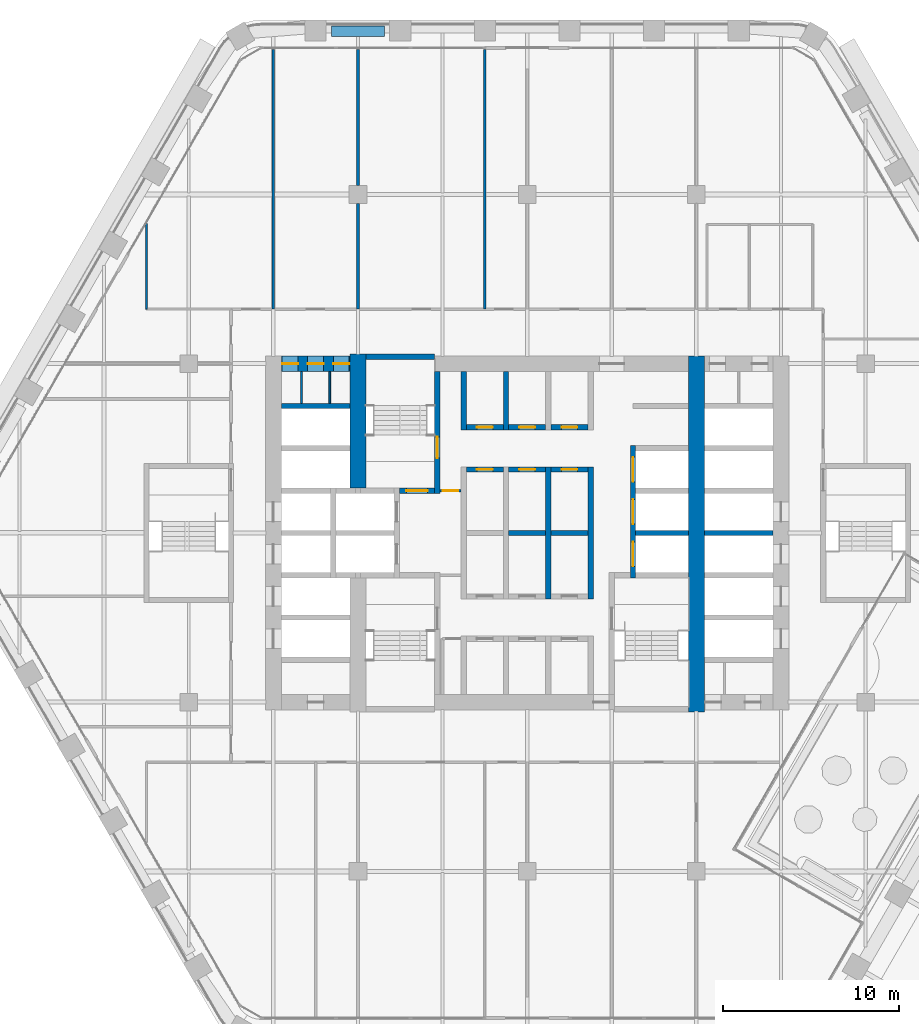
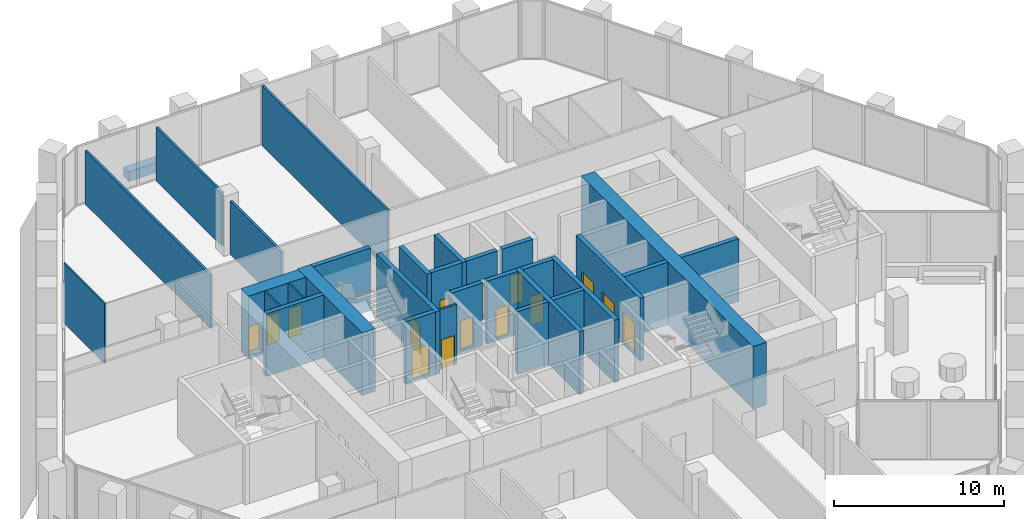
# One storey, part 16 of 25: 31 walls, 15 doors, 15 openings.
"""IFC4 building model written with IfcOpenShell, lengths in metres."""

from ifc_helpers import new_model, si_unit, direction, frame, frame_2d, origin, place, context, subcontext, project, spatial, rectangle, extrude, material, layer, layer_set, type_object, element, fill, save


model = new_model("IFC4")

# Units and contexts
model_context = context("Model", 3, precision=1e-05, world=origin(), true_north=direction((0.0, 1.0)))
body_context = subcontext(model_context, "Body", "Model", "MODEL_VIEW")
ifc_project = project(units=[si_unit("LENGTHUNIT", "METRE"), si_unit("AREAUNIT", "SQUARE_METRE"), si_unit("VOLUMEUNIT", "CUBIC_METRE"), si_unit("PLANEANGLEUNIT", "RADIAN"), si_unit("MASSUNIT", "GRAM", prefix="KILO")], contexts=[model_context])

# Site, building, storey
site_placement = place(None, origin())
site = spatial("IfcSite", under=ifc_project, at=site_placement, CompositionType="ELEMENT")
building_placement = place(site_placement, origin())
building = spatial("IfcBuilding", under=site, at=building_placement, Name="Kolab Exchange Tower", CompositionType="ELEMENT")
storey_placement = place(building_placement, frame((0.0, 0.0, 91.39990234375)))
storey = spatial("IfcBuildingStorey", under=building, at=storey_placement, Name="L17", CompositionType="ELEMENT", Elevation=91.39990234375)

# Wall, openings, doors
ifc_material_1 = material(Name="Concrete C70/85", Category="concrete")
ifc_layer_1 = layer(ifc_material_1, 0.89990234375)
ifc_layer_set_1 = layer_set([ifc_layer_1], Name="Concrete C70/85")
wall_type_1 = type_object("IfcWallType", Name="CORE WALL 900 C70/85", PredefinedType="SHEAR", material=ifc_layer_set_1)
wall_1_placement = place(storey_placement, frame((-13.949951171875, 9.60009765625, -0.199951171875), z_axis=(0.0, 0.0, 1.0), x_axis=(1.0, 0.0, 0.0)))
wall_1 = element("IfcWall", 1, at=wall_1_placement, inside=storey, type_object=wall_type_1, Name="wall/L17/core/051", PredefinedType="SHEAR", context=body_context, shape_type="SweptSolid", body=[
    extrude(rectangle(XDim=3.89990234375, YDim=0.89990234375, at=frame_2d((1.949951171875, 0.0))), origin(), (0.0, 0.0, 1.0), 4.5),
])
opening_1_placement = place(wall_1_placement, frame((0.050048828125, 0.0, 0.199951171875)))
opening_1 = element("IfcOpeningElement", 2, at=opening_1_placement, cuts=wall_1, Name="Opening D6-217", PredefinedType="OPENING", context=body_context, shape_type="SweptSolid", body=[
    extrude(rectangle(XDim=0.89990234375, YDim=2.10009765625, at=frame_2d((0.449951171875, 1.050048828125))), frame((0.0, 0.4599609375, 0.0), z_axis=(0.0, -1.0, 0.0), x_axis=(1.0, 0.0, 0.0)), (0.0, 0.0, 1.0), 0.919921875),
])
opening_2_placement = place(wall_1_placement, frame((1.5, 0.0, 0.199951171875)))
opening_2 = element("IfcOpeningElement", 3, at=opening_2_placement, cuts=wall_1, Name="Opening D6-218", PredefinedType="OPENING", context=body_context, shape_type="SweptSolid", body=[
    extrude(rectangle(XDim=0.89990234375, YDim=2.10009765625, at=frame_2d((0.449951171875, 1.050048828125))), frame((0.0, 0.4599609375, 0.0), z_axis=(0.0, -1.0, 0.0), x_axis=(1.0, 0.0, 0.0)), (0.0, 0.0, 1.0), 0.919921875),
])
opening_3_placement = place(wall_1_placement, frame((2.949951171875, 0.0, 0.199951171875)))
opening_3 = element("IfcOpeningElement", 4, at=opening_3_placement, cuts=wall_1, Name="Opening D6-206", PredefinedType="OPENING", context=body_context, shape_type="SweptSolid", body=[
    extrude(rectangle(XDim=0.89990234375, YDim=2.10009765625, at=frame_2d((0.449951171875, 1.050048828125))), frame((0.0, 0.4599609375, 0.0), z_axis=(0.0, -1.0, 0.0), x_axis=(1.0, 0.0, 0.0)), (0.0, 0.0, 1.0), 0.919921875),
])
ifc_material_2 = material(Name="Steel S235", Category="steel")
door_type_1 = type_object("IfcDoorType", Name="CORE DOOR 900 EI 120", OperationType="SINGLE_SWING_LEFT", PredefinedType="DOOR", material=ifc_material_2)
door_1_placement = place(opening_1_placement, frame((0.89990234375, 0.0, 0.0), z_axis=(0.0, 0.0, 1.0), x_axis=(-1.0, 0.0, 0.0)))
door_1 = element("IfcDoor", 5, at=door_1_placement, inside=storey, type_object=door_type_1, Name="Service room door", OperationType="SINGLE_SWING_RIGHT", OverallHeight=2.10009765625, OverallWidth=0.89990234375, PredefinedType="DOOR", context=body_context, shape_type="SweptSolid", body=[
    extrude(rectangle(XDim=0.89990234375, YDim=2.10009765625, at=frame_2d((0.449951171875, 1.050048828125))), frame((0.0, 0.02490234375, 0.0), z_axis=(0.0, -1.0, 0.0), x_axis=(1.0, 0.0, 0.0)), (0.0, 0.0, 1.0), 0.050048828125),
])
fill(opening_1, door_1)
door_2_placement = place(opening_2_placement, frame((0.89990234375, 0.0, 0.0), z_axis=(0.0, 0.0, 1.0), x_axis=(-1.0, 0.0, 0.0)))
door_2 = element("IfcDoor", 6, at=door_2_placement, inside=storey, type_object=door_type_1, Name="Service room door", OperationType="SINGLE_SWING_LEFT", OverallHeight=2.10009765625, OverallWidth=0.89990234375, PredefinedType="DOOR", context=body_context, shape_type="SweptSolid", body=[
    extrude(rectangle(XDim=0.89990234375, YDim=2.10009765625, at=frame_2d((0.449951171875, 1.050048828125))), frame((0.0, 0.02490234375, 0.0), z_axis=(0.0, -1.0, 0.0), x_axis=(1.0, 0.0, 0.0)), (0.0, 0.0, 1.0), 0.050048828125),
])
fill(opening_2, door_2)
door_3_placement = place(opening_3_placement, frame((0.89990234375, 0.0, 0.0), z_axis=(0.0, 0.0, 1.0), x_axis=(-1.0, 0.0, 0.0)))
door_3 = element("IfcDoor", 7, at=door_3_placement, inside=storey, type_object=door_type_1, Name="Service room door", OperationType="SINGLE_SWING_LEFT", OverallHeight=2.10009765625, OverallWidth=0.89990234375, PredefinedType="DOOR", context=body_context, shape_type="SweptSolid", body=[
    extrude(rectangle(XDim=0.89990234375, YDim=2.10009765625, at=frame_2d((0.449951171875, 1.050048828125))), frame((0.0, 0.02490234375, 0.0), z_axis=(0.0, -1.0, 0.0), x_axis=(1.0, 0.0, 0.0)), (0.0, 0.0, 1.0), 0.050048828125),
])
fill(opening_3, door_3)

# Walls
wall_2_placement = place(storey_placement, frame((-9.60009765625, 2.550048828125, -0.199951171875), z_axis=(0.0, 0.0, 1.0), x_axis=(0.0, 1.0, 0.0)))
element("IfcWall", 8, at=wall_2_placement, inside=storey, type_object=wall_type_1, Name="wall/L17/core/062", PredefinedType="SHEAR", context=body_context, shape_type="SweptSolid", body=[
    extrude(rectangle(XDim=7.599853515625, YDim=0.89990234375, at=frame_2d((3.7998046875, 0.0))), origin(), (0.0, 0.0, 1.0), 4.5),
])
wall_3_placement = place(storey_placement, frame((9.60009765625, -10.14990234375, -0.199951171875), z_axis=(0.0, 0.0, 1.0), x_axis=(0.0, 1.0, 0.0)))
element("IfcWall", 9, at=wall_3_placement, inside=storey, type_object=wall_type_1, Name="wall/L17/core/080", PredefinedType="SHEAR", context=body_context, shape_type="SweptSolid", body=[
    extrude(rectangle(XDim=20.199951171875, YDim=0.89990234375, at=frame_2d((10.10009765625, 0.0))), origin(), (0.0, 0.0, 1.0), 4.5),
])
ifc_material_3 = material(Name="Concrete C50/60", Category="concrete")
ifc_layer_2 = layer(ifc_material_3, 0.300048828125)
ifc_layer_set_2 = layer_set([ifc_layer_2], Name="Concrete C50/60")
wall_type_2 = type_object("IfcWallType", Name="LIFT SHAFT WALL 300 C50/60", PredefinedType="STANDARD", material=ifc_layer_set_2)
wall_4_placement = place(storey_placement, frame((-1.050048828125, 0.0, -0.199951171875), z_axis=(0.0, 0.0, 1.0), x_axis=(1.0, 0.0, 0.0)))
element("IfcWall", 10, at=wall_4_placement, inside=storey, type_object=wall_type_2, Name="wall/L17/core/027", PredefinedType="STANDARD", context=body_context, shape_type="SweptSolid", body=[
    extrude(rectangle(XDim=2.10009765625, YDim=0.300048828125, at=frame_2d((1.050048828125, 0.0))), origin(), (0.0, 0.0, 1.0), 4.5),
])
wall_5_placement = place(storey_placement, frame((1.35009765625, 0.0, -0.199951171875), z_axis=(0.0, 0.0, 1.0), x_axis=(1.0, 0.0, 0.0)))
element("IfcWall", 11, at=wall_5_placement, inside=storey, type_object=wall_type_2, Name="wall/L17/core/028", PredefinedType="STANDARD", context=body_context, shape_type="SweptSolid", body=[
    extrude(rectangle(XDim=2.099853515625, YDim=0.300048828125, at=frame_2d((1.0498046875, 0.0))), origin(), (0.0, 0.0, 1.0), 4.5),
])
wall_6_placement = place(storey_placement, frame((6.14990234375, 0.0, -0.199951171875), z_axis=(0.0, 0.0, 1.0), x_axis=(1.0, 0.0, 0.0)))
element("IfcWall", 12, at=wall_6_placement, inside=storey, type_object=wall_type_2, Name="wall/L17/core/029", PredefinedType="STANDARD", context=body_context, shape_type="SweptSolid", body=[
    extrude(rectangle(XDim=3.0, YDim=0.300048828125, at=frame_2d((1.5, 0.0))), origin(), (0.0, 0.0, 1.0), 4.5),
])
wall_7_placement = place(storey_placement, frame((10.050048828125, 0.0, -0.199951171875), z_axis=(0.0, 0.0, 1.0), x_axis=(1.0, 0.0, 0.0)))
element("IfcWall", 13, at=wall_7_placement, inside=storey, type_object=wall_type_2, Name="wall/L17/core/030", PredefinedType="STANDARD", context=body_context, shape_type="SweptSolid", body=[
    extrude(rectangle(XDim=3.89990234375, YDim=0.300048828125, at=frame_2d((1.949951171875, 0.0))), origin(), (0.0, 0.0, 1.0), 4.5),
])

# Wall, opening, door
wall_8_placement = place(storey_placement, frame((-3.449951171875, 3.60009765625, -0.199951171875), z_axis=(0.0, 0.0, 1.0), x_axis=(1.0, 0.0, 0.0)))
wall_8 = element("IfcWall", 14, at=wall_8_placement, inside=storey, type_object=wall_type_2, Name="wall/L17/core/037", PredefinedType="STANDARD", context=body_context, shape_type="SweptSolid", body=[
    extrude(rectangle(XDim=2.099853515625, YDim=0.300048828125, at=frame_2d((1.0498046875, 0.0))), origin(), (0.0, 0.0, 1.0), 4.5),
])
opening_4_placement = place(wall_8_placement, frame((0.60009765625, 0.0, 0.199951171875)))
opening_4 = element("IfcOpeningElement", 15, at=opening_4_placement, cuts=wall_8, Name="Opening D6-196", PredefinedType="OPENING", context=body_context, shape_type="SweptSolid", body=[
    extrude(rectangle(XDim=0.89990234375, YDim=2.10009765625, at=frame_2d((0.449951171875, 1.050048828125))), frame((0.0, 0.16015625, 0.0), z_axis=(0.0, -1.0, 0.0), x_axis=(1.0, 0.0, 0.0)), (0.0, 0.0, 1.0), 0.320068359375),
])
door_4_placement = place(opening_4_placement, frame((0.89990234375, 0.0, 0.0), z_axis=(0.0, 0.0, 1.0), x_axis=(-1.0, 0.0, 0.0)))
door_4 = element("IfcDoor", 16, at=door_4_placement, inside=storey, type_object=door_type_1, Name="Service room door", OperationType="SINGLE_SWING_LEFT", OverallHeight=2.10009765625, OverallWidth=0.89990234375, PredefinedType="DOOR", context=body_context, shape_type="SweptSolid", body=[
    extrude(rectangle(XDim=0.89990234375, YDim=2.10009765625, at=frame_2d((0.449951171875, 1.050048828125))), frame((0.0, 0.02490234375, 0.0), z_axis=(0.0, -1.0, 0.0), x_axis=(1.0, 0.0, 0.0)), (0.0, 0.0, 1.0), 0.050048828125),
])
fill(opening_4, door_4)

wall_9_placement = place(storey_placement, frame((-1.050048828125, 3.60009765625, -0.199951171875), z_axis=(0.0, 0.0, 1.0), x_axis=(1.0, 0.0, 0.0)))
wall_9 = element("IfcWall", 17, at=wall_9_placement, inside=storey, type_object=wall_type_2, Name="wall/L17/core/038", PredefinedType="STANDARD", context=body_context, shape_type="SweptSolid", body=[
    extrude(rectangle(XDim=2.10009765625, YDim=0.300048828125, at=frame_2d((1.050048828125, 0.0))), origin(), (0.0, 0.0, 1.0), 4.5),
])
opening_5_placement = place(wall_9_placement, frame((0.60009765625, 0.0, 0.199951171875)))
opening_5 = element("IfcOpeningElement", 18, at=opening_5_placement, cuts=wall_9, Name="Opening D6-195", PredefinedType="OPENING", context=body_context, shape_type="SweptSolid", body=[
    extrude(rectangle(XDim=0.89990234375, YDim=2.10009765625, at=frame_2d((0.449951171875, 1.050048828125))), frame((0.0, 0.16015625, 0.0), z_axis=(0.0, -1.0, 0.0), x_axis=(1.0, 0.0, 0.0)), (0.0, 0.0, 1.0), 0.320068359375),
])
door_5_placement = place(opening_5_placement, frame((0.89990234375, 0.0, 0.0), z_axis=(0.0, 0.0, 1.0), x_axis=(-1.0, 0.0, 0.0)))
door_5 = element("IfcDoor", 19, at=door_5_placement, inside=storey, type_object=door_type_1, Name="Service room door", OperationType="SINGLE_SWING_LEFT", OverallHeight=2.10009765625, OverallWidth=0.89990234375, PredefinedType="DOOR", context=body_context, shape_type="SweptSolid", body=[
    extrude(rectangle(XDim=0.89990234375, YDim=2.10009765625, at=frame_2d((0.449951171875, 1.050048828125))), frame((0.0, 0.02490234375, 0.0), z_axis=(0.0, -1.0, 0.0), x_axis=(1.0, 0.0, 0.0)), (0.0, 0.0, 1.0), 0.050048828125),
])
fill(opening_5, door_5)

wall_10_placement = place(storey_placement, frame((1.35009765625, 3.60009765625, -0.199951171875), z_axis=(0.0, 0.0, 1.0), x_axis=(1.0, 0.0, 0.0)))
wall_10 = element("IfcWall", 20, at=wall_10_placement, inside=storey, type_object=wall_type_2, Name="wall/L17/core/039", PredefinedType="STANDARD", context=body_context, shape_type="SweptSolid", body=[
    extrude(rectangle(XDim=2.099853515625, YDim=0.300048828125, at=frame_2d((1.0498046875, 0.0))), origin(), (0.0, 0.0, 1.0), 4.5),
])
opening_6_placement = place(wall_10_placement, frame((0.60009765625, 0.0, 0.199951171875)))
opening_6 = element("IfcOpeningElement", 21, at=opening_6_placement, cuts=wall_10, Name="Opening D6-194", PredefinedType="OPENING", context=body_context, shape_type="SweptSolid", body=[
    extrude(rectangle(XDim=0.89990234375, YDim=2.10009765625, at=frame_2d((0.449951171875, 1.050048828125))), frame((0.0, 0.16015625, 0.0), z_axis=(0.0, -1.0, 0.0), x_axis=(1.0, 0.0, 0.0)), (0.0, 0.0, 1.0), 0.320068359375),
])
door_6_placement = place(opening_6_placement, frame((0.89990234375, 0.0, 0.0), z_axis=(0.0, 0.0, 1.0), x_axis=(-1.0, 0.0, 0.0)))
door_6 = element("IfcDoor", 22, at=door_6_placement, inside=storey, type_object=door_type_1, Name="Service room door", OperationType="SINGLE_SWING_RIGHT", OverallHeight=2.10009765625, OverallWidth=0.89990234375, PredefinedType="DOOR", context=body_context, shape_type="SweptSolid", body=[
    extrude(rectangle(XDim=0.89990234375, YDim=2.10009765625, at=frame_2d((0.449951171875, 1.050048828125))), frame((0.0, 0.02490234375, 0.0), z_axis=(0.0, -1.0, 0.0), x_axis=(1.0, 0.0, 0.0)), (0.0, 0.0, 1.0), 0.050048828125),
])
fill(opening_6, door_6)

wall_11_placement = place(storey_placement, frame((-3.449951171875, 6.0, -0.199951171875), z_axis=(0.0, 0.0, 1.0), x_axis=(1.0, 0.0, 0.0)))
wall_11 = element("IfcWall", 23, at=wall_11_placement, inside=storey, type_object=wall_type_2, Name="wall/L17/core/045", PredefinedType="STANDARD", context=body_context, shape_type="SweptSolid", body=[
    extrude(rectangle(XDim=2.099853515625, YDim=0.300048828125, at=frame_2d((1.0498046875, 0.0))), origin(), (0.0, 0.0, 1.0), 4.5),
])
opening_7_placement = place(wall_11_placement, frame((0.60009765625, 0.0, 0.199951171875)))
opening_7 = element("IfcOpeningElement", 24, at=opening_7_placement, cuts=wall_11, Name="Opening D6-193", PredefinedType="OPENING", context=body_context, shape_type="SweptSolid", body=[
    extrude(rectangle(XDim=0.89990234375, YDim=2.10009765625, at=frame_2d((0.449951171875, 1.050048828125))), frame((0.0, 0.16015625, 0.0), z_axis=(0.0, -1.0, 0.0), x_axis=(1.0, 0.0, 0.0)), (0.0, 0.0, 1.0), 0.320068359375),
])
door_7_placement = place(opening_7_placement, origin())
door_7 = element("IfcDoor", 25, at=door_7_placement, inside=storey, type_object=door_type_1, Name="Service room door", OperationType="SINGLE_SWING_LEFT", OverallHeight=2.10009765625, OverallWidth=0.89990234375, PredefinedType="DOOR", context=body_context, shape_type="SweptSolid", body=[
    extrude(rectangle(XDim=0.89990234375, YDim=2.10009765625, at=frame_2d((0.449951171875, 1.050048828125))), frame((0.0, 0.02490234375, 0.0), z_axis=(0.0, -1.0, 0.0), x_axis=(1.0, 0.0, 0.0)), (0.0, 0.0, 1.0), 0.050048828125),
])
fill(opening_7, door_7)

wall_12_placement = place(storey_placement, frame((-1.050048828125, 6.0, -0.199951171875), z_axis=(0.0, 0.0, 1.0), x_axis=(1.0, 0.0, 0.0)))
wall_12 = element("IfcWall", 26, at=wall_12_placement, inside=storey, type_object=wall_type_2, Name="wall/L17/core/046", PredefinedType="STANDARD", context=body_context, shape_type="SweptSolid", body=[
    extrude(rectangle(XDim=2.10009765625, YDim=0.300048828125, at=frame_2d((1.050048828125, 0.0))), origin(), (0.0, 0.0, 1.0), 4.5),
])
opening_8_placement = place(wall_12_placement, frame((0.60009765625, 0.0, 0.199951171875)))
opening_8 = element("IfcOpeningElement", 27, at=opening_8_placement, cuts=wall_12, Name="Opening D6-214", PredefinedType="OPENING", context=body_context, shape_type="SweptSolid", body=[
    extrude(rectangle(XDim=0.89990234375, YDim=2.10009765625, at=frame_2d((0.449951171875, 1.050048828125))), frame((0.0, 0.16015625, 0.0), z_axis=(0.0, -1.0, 0.0), x_axis=(1.0, 0.0, 0.0)), (0.0, 0.0, 1.0), 0.320068359375),
])
door_8_placement = place(opening_8_placement, origin())
door_8 = element("IfcDoor", 28, at=door_8_placement, inside=storey, type_object=door_type_1, Name="Service room door", OperationType="SINGLE_SWING_RIGHT", OverallHeight=2.10009765625, OverallWidth=0.89990234375, PredefinedType="DOOR", context=body_context, shape_type="SweptSolid", body=[
    extrude(rectangle(XDim=0.89990234375, YDim=2.10009765625, at=frame_2d((0.449951171875, 1.050048828125))), frame((0.0, 0.02490234375, 0.0), z_axis=(0.0, -1.0, 0.0), x_axis=(1.0, 0.0, 0.0)), (0.0, 0.0, 1.0), 0.050048828125),
])
fill(opening_8, door_8)

wall_13_placement = place(storey_placement, frame((1.35009765625, 6.0, -0.199951171875), z_axis=(0.0, 0.0, 1.0), x_axis=(1.0, 0.0, 0.0)))
wall_13 = element("IfcWall", 29, at=wall_13_placement, inside=storey, type_object=wall_type_2, Name="wall/L17/core/047", PredefinedType="STANDARD", context=body_context, shape_type="SweptSolid", body=[
    extrude(rectangle(XDim=2.099853515625, YDim=0.300048828125, at=frame_2d((1.0498046875, 0.0))), origin(), (0.0, 0.0, 1.0), 4.5),
])
opening_9_placement = place(wall_13_placement, frame((0.60009765625, 0.0, 0.199951171875)))
opening_9 = element("IfcOpeningElement", 30, at=opening_9_placement, cuts=wall_13, Name="Opening D6-191", PredefinedType="OPENING", context=body_context, shape_type="SweptSolid", body=[
    extrude(rectangle(XDim=0.89990234375, YDim=2.10009765625, at=frame_2d((0.449951171875, 1.050048828125))), frame((0.0, 0.16015625, 0.0), z_axis=(0.0, -1.0, 0.0), x_axis=(1.0, 0.0, 0.0)), (0.0, 0.0, 1.0), 0.320068359375),
])
door_9_placement = place(opening_9_placement, origin())
door_9 = element("IfcDoor", 31, at=door_9_placement, inside=storey, type_object=door_type_1, Name="Service room door", OperationType="SINGLE_SWING_RIGHT", OverallHeight=2.10009765625, OverallWidth=0.89990234375, PredefinedType="DOOR", context=body_context, shape_type="SweptSolid", body=[
    extrude(rectangle(XDim=0.89990234375, YDim=2.10009765625, at=frame_2d((0.449951171875, 1.050048828125))), frame((0.0, 0.02490234375, 0.0), z_axis=(0.0, -1.0, 0.0), x_axis=(1.0, 0.0, 0.0)), (0.0, 0.0, 1.0), 0.050048828125),
])
fill(opening_9, door_9)

# Walls
wall_14_placement = place(storey_placement, frame((-13.949951171875, 7.199951171875, -0.199951171875), z_axis=(0.0, 0.0, 1.0), x_axis=(1.0, 0.0, 0.0)))
element("IfcWall", 32, at=wall_14_placement, inside=storey, type_object=wall_type_2, Name="wall/L17/core/048", PredefinedType="STANDARD", context=body_context, shape_type="SweptSolid", body=[
    extrude(rectangle(XDim=3.89990234375, YDim=0.300048828125, at=frame_2d((1.949951171875, 0.0))), origin(), (0.0, 0.0, 1.0), 4.5),
])
for number, where, z_axis, x_axis, name in (
    (33, (-3.60009765625, 5.85009765625, -0.199951171875), (0.0, 0.0, 1.0), (0.0, 1.0, 0.0), "wall/L17/core/068"),
    (34, (-1.199951171875, 5.85009765625, -0.199951171875), (0.0, 0.0, 1.0), (0.0, 1.0, 0.0), "wall/L17/core/071"),
):
    element("IfcWall", number, at=place(storey_placement, frame(where, z_axis=z_axis, x_axis=x_axis)), inside=storey, type_object=wall_type_2, Name=name, PredefinedType="STANDARD", context=body_context, shape_type="SweptSolid", body=[
        extrude(rectangle(XDim=3.2998046875, YDim=0.300048828125, at=frame_2d((1.64990234375, 0.0))), origin(), (0.0, 0.0, 1.0), 4.5),
    ])
for number, where, z_axis, x_axis, name in (
    (35, (1.199951171875, -3.75, -0.199951171875), (0.0, 0.0, 1.0), (0.0, 1.0, 0.0), "wall/L17/core/073"),
    (36, (3.60009765625, -3.75, -0.199951171875), (0.0, 0.0, 1.0), (0.0, 1.0, 0.0), "wall/L17/core/076"),
):
    element("IfcWall", number, at=place(storey_placement, frame(where, z_axis=z_axis, x_axis=x_axis)), inside=storey, type_object=wall_type_2, Name=name, PredefinedType="STANDARD", context=body_context, shape_type="SweptSolid", body=[
        extrude(rectangle(XDim=7.5, YDim=0.300048828125, at=frame_2d((3.75, 0.0))), origin(), (0.0, 0.0, 1.0), 4.5),
    ])

# Wall, openings, doors
wall_15_placement = place(storey_placement, frame((6.0, -2.550048828125, -0.199951171875), z_axis=(0.0, 0.0, 1.0), x_axis=(0.0, 1.0, 0.0)))
wall_15 = element("IfcWall", 37, at=wall_15_placement, inside=storey, type_object=wall_type_2, Name="wall/L17/core/079", PredefinedType="STANDARD", context=body_context, shape_type="SweptSolid", body=[
    extrude(rectangle(XDim=7.5, YDim=0.300048828125, at=frame_2d((3.75, 0.0))), origin(), (0.0, 0.0, 1.0), 4.5),
])
opening_10_placement = place(wall_15_placement, frame((0.64990234375, 0.0, 0.199951171875)))
opening_10 = element("IfcOpeningElement", 38, at=opening_10_placement, cuts=wall_15, Name="Opening LD3-025", PredefinedType="OPENING", context=body_context, shape_type="SweptSolid", body=[
    extrude(rectangle(XDim=1.39990234375, YDim=2.10009765625, at=frame_2d((0.699951171875, 1.050048828125))), frame((0.0, 0.16015625, 0.0), z_axis=(0.0, -1.0, 0.0), x_axis=(1.0, 0.0, 0.0)), (0.0, 0.0, 1.0), 0.320068359375),
])
opening_11_placement = place(wall_15_placement, frame((3.050048828125, 0.0, 0.199951171875)))
opening_11 = element("IfcOpeningElement", 39, at=opening_11_placement, cuts=wall_15, Name="Opening LD3-026", PredefinedType="OPENING", context=body_context, shape_type="SweptSolid", body=[
    extrude(rectangle(XDim=1.39990234375, YDim=2.10009765625, at=frame_2d((0.699951171875, 1.050048828125))), frame((0.0, 0.16015625, 0.0), z_axis=(0.0, -1.0, 0.0), x_axis=(1.0, 0.0, 0.0)), (0.0, 0.0, 1.0), 0.320068359375),
])
opening_12_placement = place(wall_15_placement, frame((5.449951171875, 0.0, 0.199951171875)))
opening_12 = element("IfcOpeningElement", 40, at=opening_12_placement, cuts=wall_15, Name="Opening LD3-027", PredefinedType="OPENING", context=body_context, shape_type="SweptSolid", body=[
    extrude(rectangle(XDim=1.39990234375, YDim=2.10009765625, at=frame_2d((0.699951171875, 1.050048828125))), frame((0.0, 0.16015625, 0.0), z_axis=(0.0, -1.0, 0.0), x_axis=(1.0, 0.0, 0.0)), (0.0, 0.0, 1.0), 0.320068359375),
])
ifc_material_4 = material(Name="Stainless steel 316", Category="steel")
door_type_2 = type_object("IfcDoorType", Name="LANDING DOOR 1400 SERVICE", OperationType="DOUBLE_DOOR_SLIDING", PredefinedType="DOOR", material=ifc_material_4)
door_10_placement = place(opening_10_placement, origin())
door_10 = element("IfcDoor", 41, at=door_10_placement, inside=storey, type_object=door_type_2, Name="Landing door SV1", OperationType="DOUBLE_DOOR_SLIDING", OverallHeight=2.10009765625, OverallWidth=1.39990234375, PredefinedType="DOOR", context=body_context, shape_type="SweptSolid", body=[
    extrude(rectangle(XDim=1.39990234375, YDim=2.10009765625, at=frame_2d((0.699951171875, 1.050048828125))), frame((0.0, 0.02490234375, 0.0), z_axis=(0.0, -1.0, 0.0), x_axis=(1.0, 0.0, 0.0)), (0.0, 0.0, 1.0), 0.050048828125),
])
fill(opening_10, door_10)
door_11_placement = place(opening_11_placement, origin())
door_11 = element("IfcDoor", 42, at=door_11_placement, inside=storey, type_object=door_type_2, Name="Landing door SV2", OperationType="DOUBLE_DOOR_SLIDING", OverallHeight=2.10009765625, OverallWidth=1.39990234375, PredefinedType="DOOR", context=body_context, shape_type="SweptSolid", body=[
    extrude(rectangle(XDim=1.39990234375, YDim=2.10009765625, at=frame_2d((0.699951171875, 1.050048828125))), frame((0.0, 0.02490234375, 0.0), z_axis=(0.0, -1.0, 0.0), x_axis=(1.0, 0.0, 0.0)), (0.0, 0.0, 1.0), 0.050048828125),
])
fill(opening_11, door_11)
door_12_placement = place(opening_12_placement, origin())
door_12 = element("IfcDoor", 43, at=door_12_placement, inside=storey, type_object=door_type_2, Name="Landing door SV3", OperationType="DOUBLE_DOOR_SLIDING", OverallHeight=2.10009765625, OverallWidth=1.39990234375, PredefinedType="DOOR", context=body_context, shape_type="SweptSolid", body=[
    extrude(rectangle(XDim=1.39990234375, YDim=2.10009765625, at=frame_2d((0.699951171875, 1.050048828125))), frame((0.0, 0.02490234375, 0.0), z_axis=(0.0, -1.0, 0.0), x_axis=(1.0, 0.0, 0.0)), (0.0, 0.0, 1.0), 0.050048828125),
])
fill(opening_12, door_12)

# Walls
ifc_material_5 = material(Name="Gypsum board", Category="gypsum")
ifc_layer_3 = layer(ifc_material_5, 0.10009765625)
ifc_layer_set_3 = layer_set([ifc_layer_3], Name="Gypsum board")
wall_type_3 = type_object("IfcWallType", Name="PARTITION 100", PredefinedType="PARTITIONING", material=ifc_layer_set_3)
for number, where, z_axis, x_axis, name in (
    (44, (-11.199951171875, 7.35009765625, 0.0), (0.0, 0.0, 1.0), (0.0, 1.0, 0.0), "Partition 023"),
    (45, (-12.800048828125, 7.35009765625, 0.0), (0.0, 0.0, 1.0), (0.0, 1.0, 0.0), "Partition 025"),
):
    element("IfcWall", number, at=place(storey_placement, frame(where, z_axis=z_axis, x_axis=x_axis)), inside=storey, type_object=wall_type_3, Name=name, PredefinedType="PARTITIONING", context=body_context, shape_type="SweptSolid", body=[
        extrude(rectangle(XDim=1.7998046875, YDim=0.10009765625, at=frame_2d((0.89990234375, 0.0))), origin(), (0.0, 0.0, 1.0), 4.300048828125),
    ])
wall_16_placement = place(storey_placement, frame((-21.60009765625, 12.699951171875, 0.0), z_axis=(0.0, 0.0, 1.0), x_axis=(0.0, 1.0, 0.0)))
element("IfcWall", 46, at=wall_16_placement, inside=storey, type_object=wall_type_3, Name="Partition 030", PredefinedType="PARTITIONING", context=body_context, shape_type="SweptSolid", body=[
    extrude(rectangle(XDim=4.8447265625, YDim=0.10009765625, at=frame_2d((2.42236328125, 0.0))), origin(), (0.0, 0.0, 1.0), 4.300048828125),
])
ifc_layer_4 = layer(ifc_material_5, 0.14990234375)
ifc_layer_set_4 = layer_set([ifc_layer_4], Name="Gypsum board")
wall_type_4 = type_object("IfcWallType", Name="PARTITION 150 FIRE-RATED", PredefinedType="PARTITIONING", material=ifc_layer_set_4)
wall_17_placement = place(storey_placement, frame((-2.39990234375, 12.699951171875, 0.0), z_axis=(0.0, 0.0, 1.0), x_axis=(0.0, 1.0, 0.0)))
element("IfcWall", 47, at=wall_17_placement, inside=storey, type_object=wall_type_4, Name="Partition 017", PredefinedType="PARTITIONING", context=body_context, shape_type="SweptSolid", body=[
    extrude(rectangle(XDim=14.738525390625, YDim=0.14990234375, at=frame_2d((7.369140625, 0.0))), origin(), (0.0, 0.0, 1.0), 4.300048828125),
])
wall_18_placement = place(storey_placement, frame((-9.60009765625, 12.699951171875, 0.0), z_axis=(0.0, 0.0, 1.0), x_axis=(0.0, 1.0, 0.0)))
element("IfcWall", 48, at=wall_18_placement, inside=storey, type_object=wall_type_4, Name="Partition 021", PredefinedType="PARTITIONING", context=body_context, shape_type="SweptSolid", body=[
    extrude(rectangle(XDim=6.0, YDim=0.14990234375, at=frame_2d((3.0, 0.0))), origin(), (0.0, 0.0, 1.0), 3.843017578125),
])
wall_19_placement = place(storey_placement, frame((-9.60009765625, 19.699951171875, 0.0), z_axis=(0.0, 0.0, 1.0), x_axis=(0.0, 1.0, 0.0)))
element("IfcWall", 49, at=wall_19_placement, inside=storey, type_object=wall_type_4, Name="Partition 022", PredefinedType="PARTITIONING", context=body_context, shape_type="SweptSolid", body=[
    extrude(rectangle(XDim=7.728515625, YDim=0.14990234375, at=frame_2d((3.8642578125, 0.0))), origin(), (0.0, 0.0, 1.0), 3.843017578125),
])
wall_20_placement = place(storey_placement, frame((-14.39990234375, 12.699951171875, 0.0), z_axis=(0.0, 0.0, 1.0), x_axis=(0.0, 1.0, 0.0)))
element("IfcWall", 50, at=wall_20_placement, inside=storey, type_object=wall_type_4, Name="Partition 026", PredefinedType="PARTITIONING", context=body_context, shape_type="SweptSolid", body=[
    extrude(rectangle(XDim=14.728515625, YDim=0.14990234375, at=frame_2d((7.3642578125, 0.0))), origin(), (0.0, 0.0, 1.0), 3.843017578125),
])

# Wall, opening, door
wall_21_placement = place(storey_placement, frame((-4.949951171875, 2.39990234375, 0.0), z_axis=(0.0, 0.0, 1.0), x_axis=(1.0, 0.0, 0.0)))
wall_21 = element("IfcWall", 51, at=wall_21_placement, inside=storey, type_object=wall_type_4, Name="Fire partition", PredefinedType="PARTITIONING", context=body_context, shape_type="SweptSolid", body=[
    extrude(rectangle(XDim=1.199951171875, YDim=0.14990234375, at=frame_2d((0.60009765625, 0.0))), origin(), (0.0, 0.0, 1.0), 4.300048828125),
])
opening_13_placement = place(wall_21_placement, frame((0.14990234375, 0.0, 0.0)))
opening_13 = element("IfcOpeningElement", 52, at=opening_13_placement, cuts=wall_21, Name="Opening D6-204", PredefinedType="OPENING", context=body_context, shape_type="SweptSolid", body=[
    extrude(rectangle(XDim=0.89990234375, YDim=2.10009765625, at=frame_2d((0.449951171875, 1.050048828125))), frame((0.0, 0.0849609375, 0.0), z_axis=(0.0, -1.0, 0.0), x_axis=(1.0, 0.0, 0.0)), (0.0, 0.0, 1.0), 0.169921875),
])
door_13_placement = place(opening_13_placement, frame((0.89990234375, 0.0, 0.0), z_axis=(0.0, 0.0, 1.0), x_axis=(-1.0, 0.0, 0.0)))
door_13 = element("IfcDoor", 53, at=door_13_placement, inside=storey, type_object=door_type_1, Name="Firefighting lobby door", OperationType="SINGLE_SWING_RIGHT", OverallHeight=2.10009765625, OverallWidth=0.89990234375, PredefinedType="DOOR", context=body_context, shape_type="SweptSolid", body=[
    extrude(rectangle(XDim=0.89990234375, YDim=2.10009765625, at=frame_2d((0.449951171875, 1.050048828125))), frame((0.0, 0.02490234375, 0.0), z_axis=(0.0, -1.0, 0.0), x_axis=(1.0, 0.0, 0.0)), (0.0, 0.0, 1.0), 0.050048828125),
])
fill(opening_13, door_13)

# Wall
ifc_material_6 = material(Name="Granite facing", Category="masonry")
ifc_layer_5 = layer(ifc_material_6, 0.0400390625)
ifc_material_7 = material(Name="Concrete C40/50 precast", Category="concrete")
ifc_layer_6 = layer(ifc_material_7, 0.56005859375)
ifc_layer_set_5 = layer_set([ifc_layer_5, ifc_layer_6], Name="Concrete C40/50 precast")
wall_type_5 = type_object("IfcWallType", Name="PLANTER BOX 600 X 700 SOIL DEPTH 550", PredefinedType="USERDEFINED", material=ifc_layer_set_5)
wall_22_placement = place(storey_placement, frame((-11.10009765625, 28.448486328125, 0.0), z_axis=(0.0, 0.0, 1.0), x_axis=(1.0, 0.0, 0.0)))
element("IfcWall", 54, at=wall_22_placement, inside=storey, type_object=wall_type_5, Name="Planter", ObjectType="PLANTER", PredefinedType="USERDEFINED", context=body_context, shape_type="SweptSolid", body=[
    extrude(rectangle(XDim=3.0, YDim=0.60009765625, at=frame_2d((1.5, 0.0))), origin(), (0.0, 0.0, 1.0), 0.7001953125),
])

# Wall, opening, door
ifc_layer_7 = layer(ifc_material_3, 0.300048828125)
ifc_layer_set_6 = layer_set([ifc_layer_7], Name="Concrete C50/60")
wall_type_6 = type_object("IfcWallType", Name="STAIR ENCLOSURE WALL 300 C50/60", PredefinedType="STANDARD", material=ifc_layer_set_6)
wall_23_placement = place(storey_placement, frame((-7.25, 2.39990234375, -0.199951171875), z_axis=(0.0, 0.0, 1.0), x_axis=(1.0, 0.0, 0.0)))
wall_23 = element("IfcWall", 55, at=wall_23_placement, inside=storey, type_object=wall_type_6, Name="wall/L17/core/034", PredefinedType="STANDARD", context=body_context, shape_type="SweptSolid", body=[
    extrude(rectangle(XDim=2.0, YDim=0.300048828125, at=frame_2d((1.0, 0.0))), origin(), (0.0, 0.0, 1.0), 4.5),
])
opening_14_placement = place(wall_23_placement, frame((0.39990234375, 0.0, 0.199951171875)))
opening_14 = element("IfcOpeningElement", 56, at=opening_14_placement, cuts=wall_23, Name="Opening D4-043", PredefinedType="OPENING", context=body_context, shape_type="SweptSolid", body=[
    extrude(rectangle(XDim=1.199951171875, YDim=2.10009765625, at=frame_2d((0.60009765625, 1.050048828125))), frame((0.0, 0.16015625, 0.0), z_axis=(0.0, -1.0, 0.0), x_axis=(1.0, 0.0, 0.0)), (0.0, 0.0, 1.0), 0.320068359375),
])
door_type_3 = type_object("IfcDoorType", Name="STAIR DOOR 1200 EI 120", OperationType="SINGLE_SWING_LEFT", PredefinedType="DOOR", material=ifc_material_2)
door_14_placement = place(opening_14_placement, origin())
door_14 = element("IfcDoor", 57, at=door_14_placement, inside=storey, type_object=door_type_3, Name="Stair 1 door", OperationType="SINGLE_SWING_RIGHT", OverallHeight=2.10009765625, OverallWidth=1.199951171875, PredefinedType="DOOR", context=body_context, shape_type="SweptSolid", body=[
    extrude(rectangle(XDim=1.199951171875, YDim=2.10009765625, at=frame_2d((0.60009765625, 1.050048828125))), frame((0.0, 0.02490234375, 0.0), z_axis=(0.0, -1.0, 0.0), x_axis=(1.0, 0.0, 0.0)), (0.0, 0.0, 1.0), 0.050048828125),
])
fill(opening_14, door_14)

# Wall
wall_24_placement = place(storey_placement, frame((-9.14990234375, 10.0, -0.199951171875), z_axis=(0.0, 0.0, 1.0), x_axis=(1.0, 0.0, 0.0)))
element("IfcWall", 58, at=wall_24_placement, inside=storey, type_object=wall_type_6, Name="wall/L17/core/054", PredefinedType="STANDARD", context=body_context, shape_type="SweptSolid", body=[
    extrude(rectangle(XDim=3.89990234375, YDim=0.300048828125, at=frame_2d((1.949951171875, 0.0))), origin(), (0.0, 0.0, 1.0), 4.5),
])

# Wall, opening, door
wall_25_placement = place(storey_placement, frame((-5.10009765625, 2.25, -0.199951171875), z_axis=(0.0, 0.0, 1.0), x_axis=(0.0, 1.0, 0.0)))
wall_25 = element("IfcWall", 59, at=wall_25_placement, inside=storey, type_object=wall_type_6, Name="wall/L17/core/065", PredefinedType="STANDARD", context=body_context, shape_type="SweptSolid", body=[
    extrude(rectangle(XDim=6.89990234375, YDim=0.300048828125, at=frame_2d((3.449951171875, 0.0))), origin(), (0.0, 0.0, 1.0), 4.5),
])
opening_15_placement = place(wall_25_placement, frame((2.0, 0.0, 0.199951171875)))
opening_15 = element("IfcOpeningElement", 60, at=opening_15_placement, cuts=wall_25, Name="Opening D4-044", PredefinedType="OPENING", context=body_context, shape_type="SweptSolid", body=[
    extrude(rectangle(XDim=1.199951171875, YDim=2.10009765625, at=frame_2d((0.60009765625, 1.050048828125))), frame((0.0, 0.16015625, 0.0), z_axis=(0.0, -1.0, 0.0), x_axis=(1.0, 0.0, 0.0)), (0.0, 0.0, 1.0), 0.320068359375),
])
door_15_placement = place(opening_15_placement, origin())
door_15 = element("IfcDoor", 61, at=door_15_placement, inside=storey, type_object=door_type_3, Name="Stair 1 door", OperationType="SINGLE_SWING_LEFT", OverallHeight=2.10009765625, OverallWidth=1.199951171875, PredefinedType="DOOR", context=body_context, shape_type="SweptSolid", body=[
    extrude(rectangle(XDim=1.199951171875, YDim=2.10009765625, at=frame_2d((0.60009765625, 1.050048828125))), frame((0.0, 0.02490234375, 0.0), z_axis=(0.0, -1.0, 0.0), x_axis=(1.0, 0.0, 0.0)), (0.0, 0.0, 1.0), 0.050048828125),
])
fill(opening_15, door_15)

save(model, "model.ifc")
